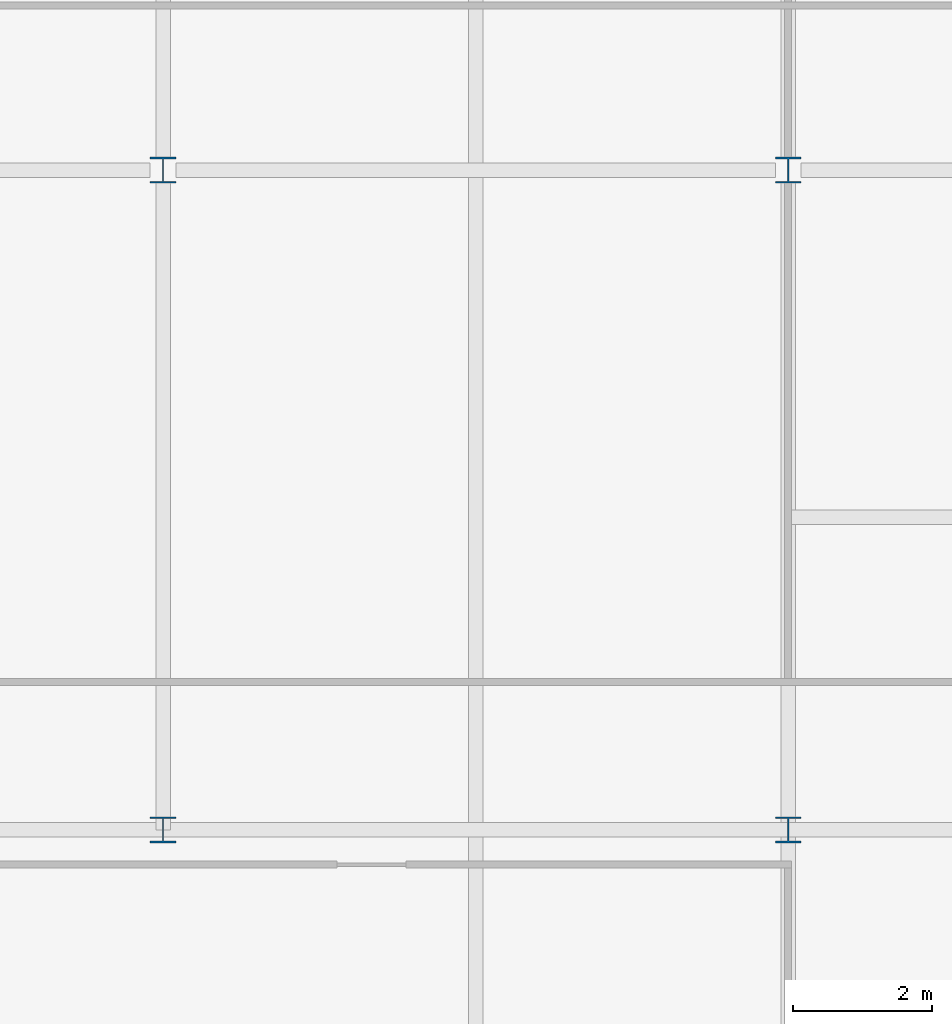
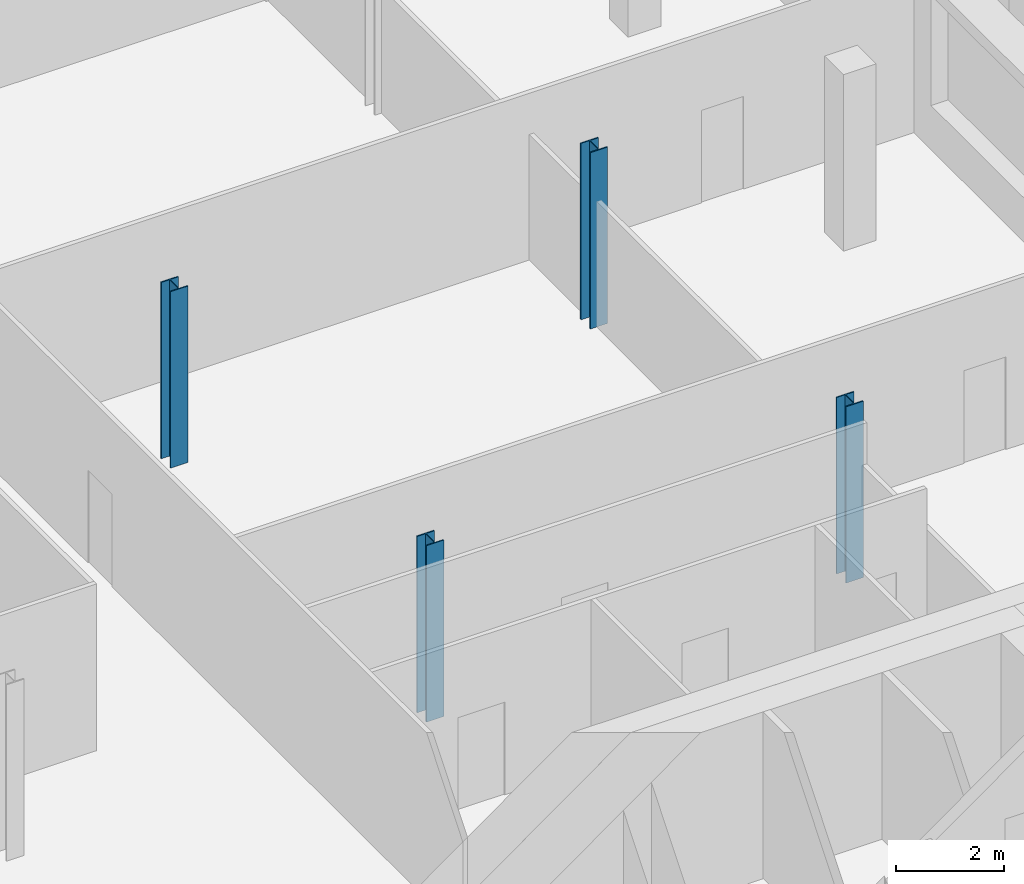
# One storey, part 2 of 16: 4 columns.
"""IFC4 building model written with IfcOpenShell, lengths in metres."""

from ifc_helpers import new_model, si_unit, direction, frame, origin, origin_2d, place, context, subcontext, project, spatial, i_section, extrude, material, material_profile, profile_set, type_object, element, save


model = new_model("IFC4")

# Units and contexts
model_context = context("Model", 3, precision=1e-05, world=origin(), true_north=direction((0.0, 1.0)))
body_context = subcontext(model_context, "Body", "Model", "MODEL_VIEW")
ifc_project = project(units=[si_unit("LENGTHUNIT", "METRE"), si_unit("AREAUNIT", "SQUARE_METRE"), si_unit("VOLUMEUNIT", "CUBIC_METRE"), si_unit("PLANEANGLEUNIT", "RADIAN"), si_unit("MASSUNIT", "GRAM", prefix="KILO")], contexts=[model_context])

# Site, building, storey
site_placement = place(None, origin())
site = spatial("IfcSite", under=ifc_project, at=site_placement, CompositionType="ELEMENT")
building_placement = place(site_placement, origin())
building = spatial("IfcBuilding", under=site, at=building_placement, Name="Zellij Exchange Tower", CompositionType="ELEMENT")
storey_placement = place(building_placement, frame((0.0, 0.0, 280.5)))
storey = spatial("IfcBuildingStorey", under=building, at=storey_placement, Name="L66", CompositionType="ELEMENT", Elevation=280.5)

# Columns
ifc_material = material(Name="Structural steel ASTM A992 Gr 50", Category="steel")
ifc_material_profile = material_profile(ifc_material, i_section(OverallWidth=0.373291015625, OverallDepth=0.373291015625, WebThickness=0.016357421875, FlangeThickness=0.026123046875, at=origin_2d()), Name="W14x132")
ifc_profile_set = profile_set([ifc_material_profile], Name="Structural steel ASTM A992 Gr 50")
column_type = type_object("IfcColumnType", Name="STR-COLUMN W14x132", PredefinedType="COLUMN", material=ifc_profile_set)
for number, where, z_axis, x_axis, name in (
    (1, (18.0, 4.5, 0.0), (0.0, 0.0, 1.0), (1.0, 0.0, 0.0), "C1"),
    (2, (27.0, 4.5, 0.0), (0.0, 0.0, 1.0), (1.0, 0.0, 0.0), "C1"),
    (3, (18.0, 14.0, 0.0), (0.0, 0.0, 1.0), (1.0, 0.0, 0.0), "C1"),
    (4, (27.0, 14.0, 0.0), (0.0, 0.0, 1.0), (1.0, 0.0, 0.0), "C1"),
):
    element("IfcColumn", number, at=place(storey_placement, frame(where, z_axis=z_axis, x_axis=x_axis)), inside=storey, type_object=column_type, Name=name, PredefinedType="COLUMN", context=body_context, shape_type="SweptSolid", body=[
        extrude(i_section(OverallWidth=0.373291015625, OverallDepth=0.373291015625, WebThickness=0.016357421875, FlangeThickness=0.026123046875, at=origin_2d()), origin(), (0.0, 0.0, 1.0), 4.0),
    ])

save(model, "model.ifc")
